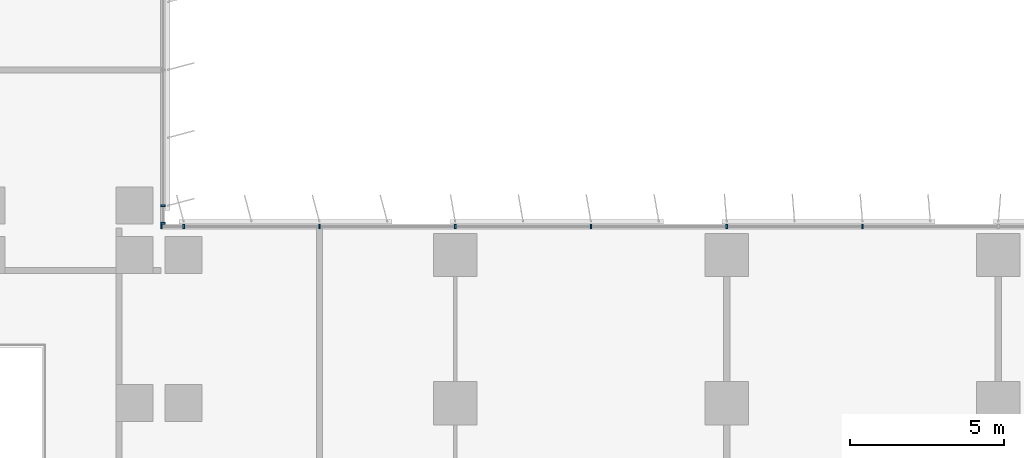
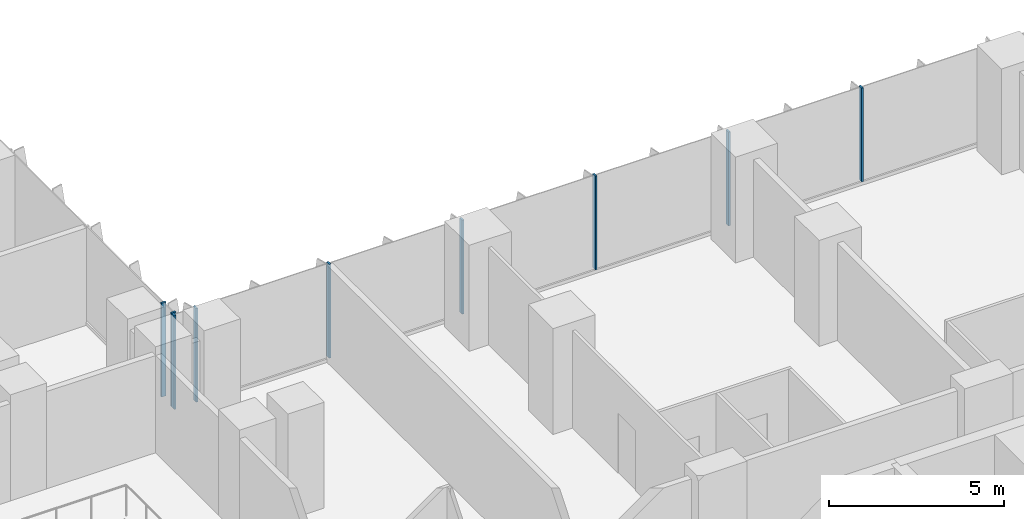
# One storey, part 2 of 24: 9 members, 2 elements without a shape of their own.
"""IFC4 building model written with IfcOpenShell, lengths in metres."""

from ifc_helpers import new_model, si_unit, direction, frame, origin, origin_2d, place, context, subcontext, project, spatial, rectangle, extrude, source, transform, mapped, material, material_profile, profile_set, type_object, element, aggregate, save


model = new_model("IFC4")

# Units and contexts
model_context = context("Model", 3, precision=1e-05, world=origin(), true_north=direction((0.0, 1.0)))
body_context = subcontext(model_context, "Body", "Model", "MODEL_VIEW")
ifc_project = project(units=[si_unit("LENGTHUNIT", "METRE"), si_unit("AREAUNIT", "SQUARE_METRE"), si_unit("VOLUMEUNIT", "CUBIC_METRE"), si_unit("PLANEANGLEUNIT", "RADIAN"), si_unit("MASSUNIT", "GRAM", prefix="KILO")], contexts=[model_context])

# Site, building, storey
site_placement = place(None, origin())
site = spatial("IfcSite", under=ifc_project, at=site_placement, CompositionType="ELEMENT")
building_placement = place(site_placement, origin())
building = spatial("IfcBuilding", under=site, at=building_placement, Name="Kemantara Hotel Tower", CompositionType="ELEMENT")
storey_placement = place(building_placement, frame((0.0, 0.0, 41.39990234375)))
storey = spatial("IfcBuildingStorey", under=building, at=storey_placement, Name="L08", CompositionType="ELEMENT", Elevation=41.39990234375)

# Curtain wall, members
ifc_material_1 = material(Name="Low-E tinted double insulated glass 36 mm", Category="glass")
curtain_wall_type = type_object("IfcCurtainWallType", Name="TOWER CURTAIN WALL, FRONT FACES", PredefinedType="USERDEFINED", material=ifc_material_1)
curtain_wall_1_placement = place(storey_placement, origin())
curtain_wall_1 = element("IfcCurtainWall", 1, at=curtain_wall_1_placement, inside=storey, type_object=curtain_wall_type, Name="CW4 L08 T1-R07-1", ObjectType="TOWER CURTAIN WALL, FRONT FACES", PredefinedType="USERDEFINED")
ifc_material_2 = material(Name="Aluminium 6063-T6 bronze anodised", Category="aluminium")
ifc_material_profile = material_profile(ifc_material_2, rectangle(XDim=0.14990234375, YDim=0.06005859375, at=origin_2d()), Name="TOWER CURTAIN WALL, FRONT FACES MULLION")
ifc_profile_set = profile_set([ifc_material_profile], Name="Aluminium 6063-T6 bronze anodised")
member_type = type_object("IfcMemberType", Name="TOWER CURTAIN WALL, FRONT FACES MULLION", PredefinedType="MULLION", material=ifc_profile_set)
shared_shape = source(origin(), body_context, "Body", "SweptSolid", [
    extrude(rectangle(XDim=0.14990234375, YDim=0.06005859375, at=origin_2d()), origin(), (0.0, 0.0, 1.0), 3.280029296875),
])
member_1_placement = place(storey_placement, frame((49.39990234375, 26.72509765625, 0.1201171875), z_axis=(0.0, 0.0, 1.0), x_axis=(0.0, -1.0, 0.0)))
member_1 = element("IfcMember", 2, at=member_1_placement, type_object=member_type, Name="CW4 mullion T1-R07-1.8", PredefinedType="MULLION", context=body_context, shape_type="MappedRepresentation", body=[
    mapped(shared_shape, transform((0.0, 0.0, 0.0))),
])
member_2_placement = place(storey_placement, frame((45.0, 26.72509765625, 0.1201171875), z_axis=(0.0, 0.0, 1.0), x_axis=(0.0, -1.0, 0.0)))
member_2 = element("IfcMember", 3, at=member_2_placement, type_object=member_type, Name="CW4 mullion T1-R07-1.9", PredefinedType="MULLION", context=body_context, shape_type="MappedRepresentation", body=[
    mapped(shared_shape, transform((0.0, 0.0, 0.0))),
])
member_3_placement = place(storey_placement, frame((40.60009765625, 26.72509765625, 0.1201171875), z_axis=(0.0, 0.0, 1.0), x_axis=(0.0, -1.0, 0.0)))
member_3 = element("IfcMember", 4, at=member_3_placement, type_object=member_type, Name="CW4 mullion T1-R07-1.10", PredefinedType="MULLION", context=body_context, shape_type="MappedRepresentation", body=[
    mapped(shared_shape, transform((0.0, 0.0, 0.0))),
])
member_4_placement = place(storey_placement, frame((36.199951171875, 26.72509765625, 0.1201171875), z_axis=(0.0, 0.0, 1.0), x_axis=(0.0, -1.0, 0.0)))
member_4 = element("IfcMember", 5, at=member_4_placement, type_object=member_type, Name="CW4 mullion T1-R07-1.11", PredefinedType="MULLION", context=body_context, shape_type="MappedRepresentation", body=[
    mapped(shared_shape, transform((0.0, 0.0, 0.0))),
])
member_5_placement = place(storey_placement, frame((31.800048828125, 26.72509765625, 0.1201171875), z_axis=(0.0, 0.0, 1.0), x_axis=(0.0, -1.0, 0.0)))
member_5 = element("IfcMember", 6, at=member_5_placement, type_object=member_type, Name="CW4 mullion T1-R07-1.12", PredefinedType="MULLION", context=body_context, shape_type="MappedRepresentation", body=[
    mapped(shared_shape, transform((0.0, 0.0, 0.0))),
])
member_6_placement = place(storey_placement, frame((27.39990234375, 26.72509765625, 0.1201171875), z_axis=(0.0, 0.0, 1.0), x_axis=(0.0, -1.0, 0.0)))
member_6 = element("IfcMember", 7, at=member_6_placement, type_object=member_type, Name="CW4 mullion T1-R07-1.13", PredefinedType="MULLION", context=body_context, shape_type="MappedRepresentation", body=[
    mapped(shared_shape, transform((0.0, 0.0, 0.0))),
])
member_7_placement = place(storey_placement, frame((26.679931640625, 26.72509765625, 0.1201171875), z_axis=(0.0, 0.0, 1.0), x_axis=(0.0, -1.0, 0.0)))
member_7 = element("IfcMember", 8, at=member_7_placement, type_object=member_type, Name="CW4 mullion T1-R07-1.14", PredefinedType="MULLION", context=body_context, shape_type="MappedRepresentation", body=[
    mapped(shared_shape, transform((0.0, 0.0, 0.0))),
])
aggregate(curtain_wall_1, [member_1, member_2, member_3, member_4, member_5, member_6, member_7])

curtain_wall_2_placement = place(storey_placement, origin())
curtain_wall_2 = element("IfcCurtainWall", 9, at=curtain_wall_2_placement, inside=storey, type_object=curtain_wall_type, Name="CW4 L08 T1-R08-1", ObjectType="TOWER CURTAIN WALL, FRONT FACES", PredefinedType="USERDEFINED")
member_8_placement = place(storey_placement, frame((26.72509765625, 26.830078125, 0.1201171875), z_axis=(0.0, 0.0, 1.0), x_axis=(-1.0, 0.0, 0.0)))
member_8 = element("IfcMember", 10, at=member_8_placement, type_object=member_type, Name="CW4 mullion T1-R08-1.1", PredefinedType="MULLION", context=body_context, shape_type="MappedRepresentation", body=[
    mapped(shared_shape, transform((0.0, 0.0, 0.0))),
])
member_9_placement = place(storey_placement, frame((26.72509765625, 27.39990234375, 0.1201171875), z_axis=(0.0, 0.0, 1.0), x_axis=(-1.0, 0.0, 0.0)))
member_9 = element("IfcMember", 11, at=member_9_placement, type_object=member_type, Name="CW4 mullion T1-R08-1.2", PredefinedType="MULLION", context=body_context, shape_type="MappedRepresentation", body=[
    mapped(shared_shape, transform((0.0, 0.0, 0.0))),
])
aggregate(curtain_wall_2, [member_8, member_9])

save(model, "model.ifc")
